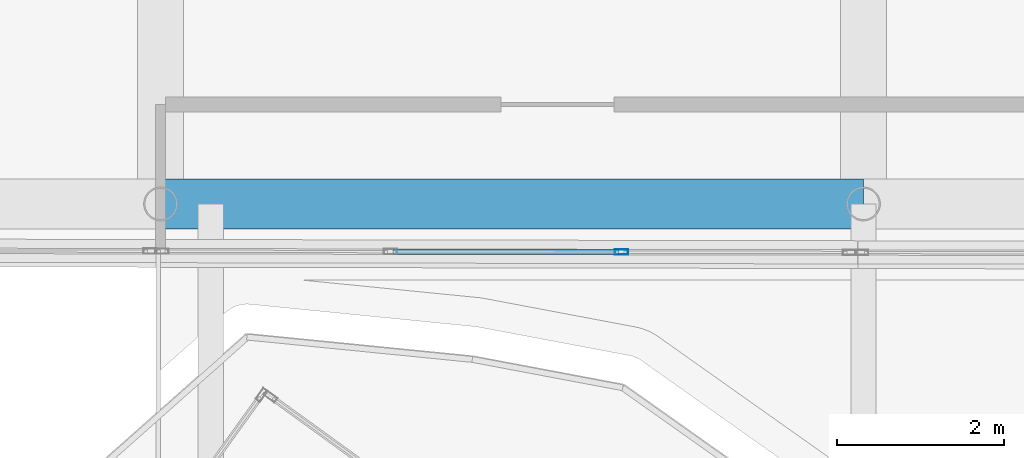
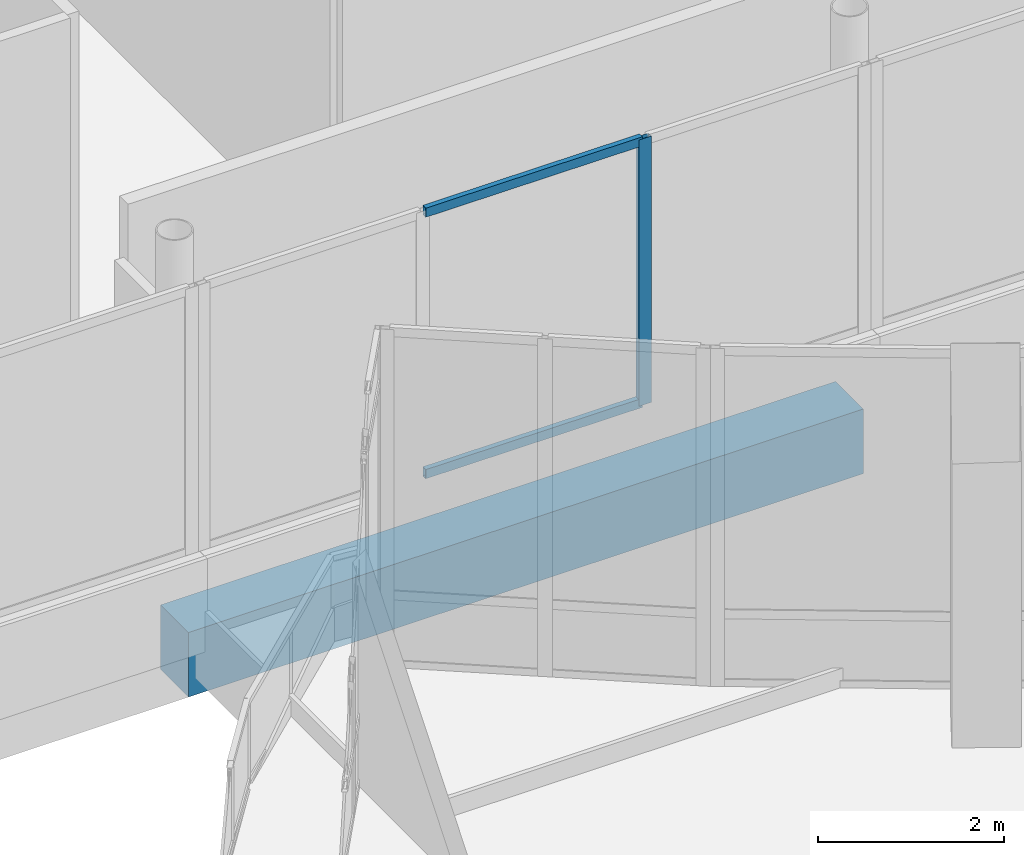
# One storey, part 29 of 168: 3 members, 1 beam, 1 element without a shape of its own.
"""IFC4 building model written with IfcOpenShell, lengths in metres."""

from ifc_helpers import new_model, si_unit, direction, frame, origin, origin_2d, place, context, subcontext, project, spatial, rectangle, hollow_rectangle, extrude, material, material_profile, profile_set, type_object, element, aggregate, save


model = new_model("IFC4")

# Units and contexts
model_context = context("Model", 3, precision=1e-05, world=origin(), true_north=direction((0.0, 1.0)))
body_context = subcontext(model_context, "Body", "Model", "MODEL_VIEW")
ifc_project = project(units=[si_unit("LENGTHUNIT", "METRE"), si_unit("AREAUNIT", "SQUARE_METRE"), si_unit("VOLUMEUNIT", "CUBIC_METRE"), si_unit("PLANEANGLEUNIT", "RADIAN"), si_unit("MASSUNIT", "GRAM", prefix="KILO")], contexts=[model_context])

# Site, building, storey
site_placement = place(None, origin())
site = spatial("IfcSite", under=ifc_project, at=site_placement, CompositionType="ELEMENT")
building_placement = place(site_placement, origin())
building = spatial("IfcBuilding", under=site, at=building_placement, Name="Selatvlak General Hospital", CompositionType="ELEMENT")
storey_placement = place(building_placement, frame((0.0, 0.0, 5.39990234375)))
storey = spatial("IfcBuildingStorey", under=building, at=storey_placement, Name="L01", CompositionType="ELEMENT", Elevation=5.39990234375)

# Beam
ifc_material_1 = material(Name="Concrete C40/50", Category="concrete")
ifc_material_profile_1 = material_profile(ifc_material_1, rectangle(XDim=0.60009765625, YDim=0.85009765625, at=origin_2d()), Name="RC-BM 600x850")
ifc_profile_set_1 = profile_set([ifc_material_profile_1], Name="Concrete C40/50")
beam_type = type_object("IfcBeamType", Name="BM-G01", PredefinedType="BEAM", material=ifc_profile_set_1)
beam_placement = place(storey_placement, frame((31.199951171875, 52.550048828125, -0.744873046875), z_axis=(1.0, 0.0, 0.0), x_axis=(0.0, 1.0, 0.0)))
element("IfcBeam", 1, at=beam_placement, inside=storey, type_object=beam_type, Name="Beam BMR-L01-0386", PredefinedType="BEAM", context=body_context, shape_type="SweptSolid", body=[
    extrude(rectangle(XDim=0.60009765625, YDim=0.85009765625, at=origin_2d()), origin(), (0.0, 0.0, 1.0), 8.400146484375),
])

# Curtain wall, members
ifc_material_2 = material(Name="Solar-control Low-E double glazing", Category="glass")
curtain_wall_type = type_object("IfcCurtainWallType", Name="CW-CW-02", PredefinedType="USERDEFINED", material=ifc_material_2)
curtain_wall_placement = place(storey_placement, origin())
curtain_wall = element("IfcCurtainWall", 2, at=curtain_wall_placement, inside=storey, type_object=curtain_wall_type, Name="Glazed facade curtain wall CW-L01-0213", ObjectType="UNITISED CURTAIN WALL", PredefinedType="USERDEFINED")
ifc_material_3 = material(Name="Dark anodised aluminium mullion", Category="aluminium")
ifc_material_profile_2 = material_profile(ifc_material_3, hollow_rectangle(XDim=0.06494140625, YDim=0.159912109375, WallThickness=0.00390625, at=origin_2d()), Name="AL-MUL 65x160x4")
ifc_profile_set_2 = profile_set([ifc_material_profile_2], Name="Dark anodised aluminium mullion")
member_type_1 = type_object("IfcMemberType", Name="CWM-01", PredefinedType="MULLION", material=ifc_profile_set_2)
member_1_placement = place(storey_placement, frame((36.707275390625, 51.97509765625, 0.940185546875), z_axis=(0.0, 0.0, 1.0), x_axis=(-0.001811153756, -0.99999835986, 0.0)))
member_1 = element("IfcMember", 3, at=member_1_placement, type_object=member_type_1, Name="CW-02 mullion 2", PredefinedType="MULLION", context=body_context, shape_type="SweptSolid", body=[
    extrude(hollow_rectangle(XDim=0.06494140625, YDim=0.159912109375, WallThickness=0.00390625, at=origin_2d()), origin(), (0.0, 0.0, 1.0), 3.5048828125),
])
ifc_material_profile_3 = material_profile(ifc_material_3, hollow_rectangle(XDim=0.06494140625, YDim=0.1201171875, WallThickness=0.00390625, at=origin_2d()), Name="AL-TRN 65x120x4")
ifc_profile_set_3 = profile_set([ifc_material_profile_3], Name="Dark anodised aluminium mullion")
member_type_2 = type_object("IfcMemberType", Name="CWT-01", PredefinedType="USERDEFINED", material=ifc_profile_set_3)
member_2_placement = place(storey_placement, frame((36.6748046875, 51.97509765625, 0.97265625), z_axis=(-0.999998359364, 0.001811427152, 0.0), x_axis=(-0.001811427152, -0.999998359364, 0.0)))
member_2 = element("IfcMember", 4, at=member_2_placement, type_object=member_type_2, Name="CW-02 transom 2.1", ObjectType="TRANSOM", PredefinedType="USERDEFINED", context=body_context, shape_type="SweptSolid", body=[
    extrude(hollow_rectangle(XDim=0.06494140625, YDim=0.1201171875, WallThickness=0.00390625, at=origin_2d()), origin(), (0.0, 0.0, 1.0), 2.695556640625),
])
member_3_placement = place(storey_placement, frame((36.6748046875, 51.97509765625, 4.41259765625), z_axis=(-0.999998359364, 0.001811427152, 0.0), x_axis=(-0.001811427152, -0.999998359364, 0.0)))
member_3 = element("IfcMember", 5, at=member_3_placement, type_object=member_type_2, Name="CW-02 transom 2.2", ObjectType="TRANSOM", PredefinedType="USERDEFINED", context=body_context, shape_type="SweptSolid", body=[
    extrude(hollow_rectangle(XDim=0.06494140625, YDim=0.1201171875, WallThickness=0.00390625, at=origin_2d()), origin(), (0.0, 0.0, 1.0), 2.695556640625),
])
aggregate(curtain_wall, [member_1, member_2, member_3])

save(model, "model.ifc")
